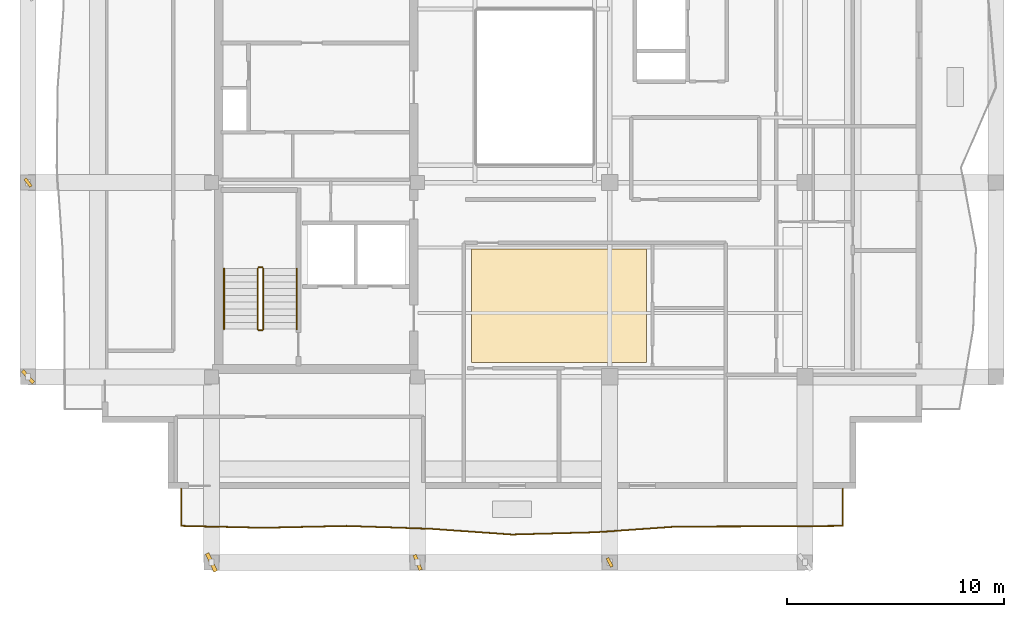
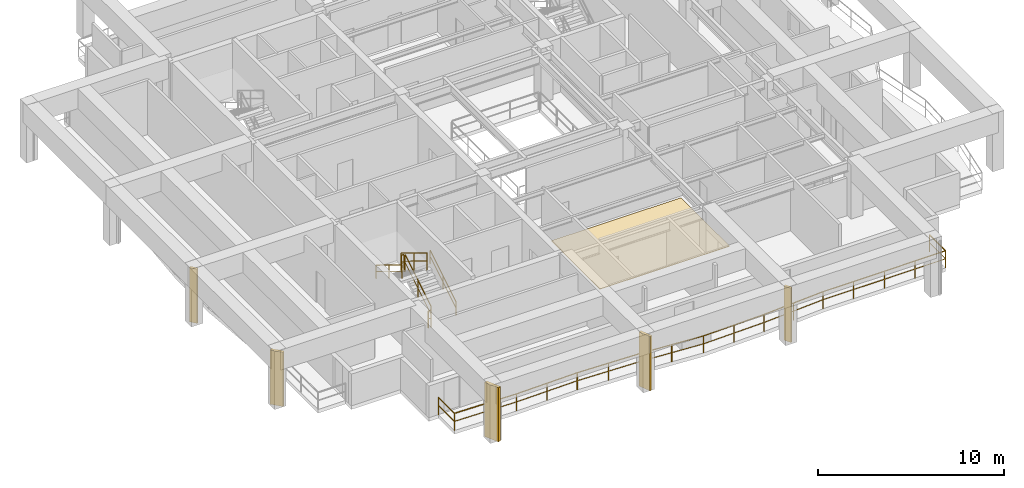
# One storey, part 7 of 10: 7 railings, 5 shading devices, 1 covering.
"""IFC4 building model written with IfcOpenShell, lengths in metres."""

import ifcopenshell
import ifcopenshell.guid

model = None  # the IFC model being written
_history = None  # IfcOwnerHistory: only IFC2X3 demands one
_inside = {}  # id of a spatial element -> (the spatial element, [elements in it])
_under = {}  # id of a project, library or spatial element -> (it, [spatial elements below it])
_declared = {}  # id of a project -> (the project, [libraries it declares])
_typed = {}  # id of a type object -> (the type object, [elements of that type])
_made_of = {}  # id of a material, layer set ... -> (it, [elements and type objects made of it])


def new_model(schema):
    """Start an empty IFC model of exactly this schema.

    Asked for "IFC4X3", IfcOpenShell would pick the latest addendum, in which some entities
    have other attributes; the version numbers below select the first issue.
    IFC2X3 requires an IfcOwnerHistory on every rooted entity: one is made here for all.
    """
    global model, _history
    if schema == "IFC4X3":
        model = ifcopenshell.file(schema_version=(4, 3, 0, 0))
    else:
        model = ifcopenshell.file(schema=schema)
    _inside.clear()
    _under.clear()
    _declared.clear()
    _typed.clear()
    _made_of.clear()
    _history = None
    if model.schema == "IFC2X3":
        org = make("IfcOrganization", Name="unknown")
        user = make(
            "IfcPersonAndOrganization",
            ThePerson=make("IfcPerson", FamilyName="unknown"),
            TheOrganization=org,
        )
        app = make(
            "IfcApplication",
            ApplicationDeveloper=org,
            Version="unknown",
            ApplicationFullName="unknown",
            ApplicationIdentifier="unknown",
        )
        _history = make(
            "IfcOwnerHistory",
            OwningUser=user,
            OwningApplication=app,
            ChangeAction="ADDED",
            CreationDate=0,
        )
    return model


def make(cls, **values):
    """One entity of the class cls with the attributes given. An attribute that is None is left unset."""
    return model.create_entity(
        cls, **{name: value for name, value in values.items() if value is not None}
    )


def rooted(cls, **values):
    """An entity with a GlobalId (a new one), such as an element, a storey or a relation."""
    return make(cls, GlobalId=ifcopenshell.guid.new(), OwnerHistory=_history, **values)


def si_unit(unit_type, name, prefix=None):
    """IfcSIUnit, for example si_unit("LENGTHUNIT", "METRE", prefix="MILLI")."""
    return make("IfcSIUnit", UnitType=unit_type, Prefix=prefix, Name=name)


def assignment(units):
    """IfcUnitAssignment: the units of a project."""
    return None if units is None else make("IfcUnitAssignment", Units=units)


def point(xyz):
    """IfcCartesianPoint."""
    return None if xyz is None else make("IfcCartesianPoint", Coordinates=xyz)


def direction(xyz):
    """IfcDirection."""
    return None if xyz is None else make("IfcDirection", DirectionRatios=xyz)


def frame(location, z_axis=None, x_axis=None):
    """IfcAxis2Placement3D, a coordinate frame: its origin and axes. An axis left out is left unset."""
    return make(
        "IfcAxis2Placement3D",
        Location=point(location),
        Axis=direction(z_axis),
        RefDirection=direction(x_axis),
    )


def frame_2d(location, x_axis=None):
    """IfcAxis2Placement2D, a coordinate frame in the plane: its origin and x axis."""
    return make(
        "IfcAxis2Placement2D", Location=point(location), RefDirection=direction(x_axis)
    )


def origin():
    """The frame at (0, 0, 0) with its axes left unset."""
    return frame((0.0, 0.0, 0.0))


def origin_2d():
    """The frame at (0, 0) in the plane with its x axis left unset."""
    return frame_2d((0.0, 0.0))


def place(relative_to, where):
    """IfcLocalPlacement: puts the frame where relative to a parent placement (None: the world)."""
    return make(
        "IfcLocalPlacement", PlacementRelTo=relative_to, RelativePlacement=where
    )


def context(
    kind, dimensions, precision=None, world=None, true_north=None, identifier=None
):
    """IfcGeometricRepresentationContext, for example the 3D "Model" context."""
    return make(
        "IfcGeometricRepresentationContext",
        ContextIdentifier=identifier,
        ContextType=kind,
        CoordinateSpaceDimension=dimensions,
        Precision=precision,
        WorldCoordinateSystem=world,
        TrueNorth=true_north,
    )


def subcontext(parent, identifier, kind, view, scale=None):
    """IfcGeometricRepresentationSubContext, for example "Body" below "Model"."""
    return make(
        "IfcGeometricRepresentationSubContext",
        ContextIdentifier=identifier,
        ContextType=kind,
        ParentContext=parent,
        TargetScale=scale,
        TargetView=view,
    )


def project(units=None, contexts=None):
    """IfcProject with its units and contexts."""
    return rooted(
        "IfcProject",
        Name="project",
        RepresentationContexts=contexts,
        UnitsInContext=assignment(units),
    )


def spatial(cls, under=None, at=None, **own):
    """A site, building, storey or space (cls), placed at a placement, below another one or the project."""
    s = rooted(cls, ObjectPlacement=at, **own)
    if under is not None:
        _under.setdefault(under.id(), (under, []))[1].append(s)
    return s


def polyline(points):
    """IfcPolyline through the points."""
    return make("IfcPolyline", Points=[point(p) for p in points])


def profile(cls, at=None, kind="AREA", **sizes):
    """A parametric profile (cls). Its sizes go by their IFC names, for example OverallWidth=200.0."""
    return make(cls, ProfileType=kind, Position=at, **sizes)


def rectangle(**sizes):
    """IfcRectangleProfileDef."""
    return profile("IfcRectangleProfileDef", **sizes)


def outline(outer, holes=None, kind="AREA"):
    """IfcArbitraryClosedProfileDef: a profile drawn as a closed curve; with holes, ...WithVoids."""
    if holes is None:
        return make("IfcArbitraryClosedProfileDef", ProfileType=kind, OuterCurve=outer)
    return make(
        "IfcArbitraryProfileDefWithVoids",
        ProfileType=kind,
        OuterCurve=outer,
        InnerCurves=holes,
    )


def extrude(swept, where, along, depth):
    """IfcExtrudedAreaSolid: the profile swept, set in the frame where, extruded along a direction by depth."""
    return make(
        "IfcExtrudedAreaSolid",
        SweptArea=swept,
        Position=where,
        ExtrudedDirection=direction(along),
        Depth=depth,
    )


def shape(context_of_items, identifier, shape_type, items):
    """IfcShapeRepresentation: the items that make up one representation, for example the "Body"."""
    return make(
        "IfcShapeRepresentation",
        ContextOfItems=context_of_items,
        RepresentationIdentifier=identifier,
        RepresentationType=shape_type,
        Items=items,
    )


def material(Name=None, Category=None):
    """IfcMaterial."""
    return make("IfcMaterial", Name=Name, Category=Category)


def layer(
    of_material, thickness, ventilated=None, Name=None, Category=None, Priority=None
):
    """IfcMaterialLayer: one layer of a wall or slab, of a material (None: an air gap)."""
    return make(
        "IfcMaterialLayer",
        Material=of_material,
        LayerThickness=thickness,
        IsVentilated=ventilated,
        Name=Name,
        Category=Category,
        Priority=Priority,
    )


def layer_set(layers, Name=None):
    """IfcMaterialLayerSet."""
    return make("IfcMaterialLayerSet", MaterialLayers=layers, LayerSetName=Name)


def made_of(thing, what):
    """Note that an element or type object is made of a material, layer set ...; save() writes the relation."""
    if what is not None:
        _made_of.setdefault(what.id(), (what, []))[1].append(thing)
    return thing


def type_object(cls, material=None, **own):
    """A type object (cls), such as IfcWallType, which elements share."""
    return made_of(rooted(cls, **own), material)


def element(
    cls,
    number,
    at=None,
    inside=None,
    cuts=None,
    type_object=None,
    material=None,
    context=None,
    identifier="Body",
    shape_type=None,
    held_by="IfcProductDefinitionShape",
    body=None,
    shapes=None,
    **own,
):
    """One element of the class cls, such as IfcWall. Its Tag is "e" and its number.

    at: its placement. inside: the storey or other place that contains it. cuts: it is an
    opening in that element (IfcRelVoidsElement). A single representation is given by context,
    identifier, shape_type and body (its items); several are given by shapes. held_by: the class
    of the entity that holds the representations. save() writes the other relations.
    """
    e = rooted(cls, Tag="e%d" % number, ObjectPlacement=at, **own)
    if body is not None:
        shapes = [shape(context, identifier, shape_type, body)]
    if shapes is not None:
        e.Representation = make(held_by, Representations=shapes)
    if inside is not None:
        _inside.setdefault(inside.id(), (inside, []))[1].append(e)
    if cuts is not None:
        rooted(
            "IfcRelVoidsElement", RelatingBuildingElement=cuts, RelatedOpeningElement=e
        )
    if type_object is not None:
        _typed.setdefault(type_object.id(), (type_object, []))[1].append(e)
    return made_of(e, material)


def aggregate(whole, parts):
    """IfcRelAggregates: a whole, such as a stair, and the parts it consists of."""
    return rooted("IfcRelAggregates", RelatingObject=whole, RelatedObjects=parts)


def save(model, path):
    """Write the relations noted so far, then the file.

    IfcRelAggregates (storeys below a building ...), IfcRelContainedInSpatialStructure (elements
    in a storey), IfcRelDefinesByType, IfcRelAssociatesMaterial and IfcRelDeclares: one each for
    every whole, place, type object, material and project.
    """
    for whole, parts in _under.values():
        aggregate(whole, parts)
    for where, things in _inside.values():
        rooted(
            "IfcRelContainedInSpatialStructure",
            RelatedElements=things,
            RelatingStructure=where,
        )
    for kind, things in _typed.values():
        rooted("IfcRelDefinesByType", RelatedObjects=things, RelatingType=kind)
    for what, things in _made_of.values():
        rooted("IfcRelAssociatesMaterial", RelatedObjects=things, RelatingMaterial=what)
    for by, libraries in _declared.values():
        rooted("IfcRelDeclares", RelatingContext=by, RelatedDefinitions=libraries)
    model.write(path)


model = new_model("IFC4")

# Units and contexts
model_context = context("Model", 3, precision=1e-05, world=origin(), true_north=direction((0.0, 1.0)))
body_context = subcontext(model_context, "Body", "Model", "MODEL_VIEW")
ifc_project = project(units=[si_unit("LENGTHUNIT", "METRE"), si_unit("AREAUNIT", "SQUARE_METRE"), si_unit("VOLUMEUNIT", "CUBIC_METRE"), si_unit("PLANEANGLEUNIT", "RADIAN"), si_unit("MASSUNIT", "GRAM", prefix="KILO")], contexts=[model_context])

# Site, building, storey
site_placement = place(None, origin())
site = spatial("IfcSite", under=ifc_project, at=site_placement, CompositionType="ELEMENT")
building_placement = place(site_placement, origin())
building = spatial("IfcBuilding", under=site, at=building_placement, Name="Kundavana Baori Tower", CompositionType="ELEMENT")
storey_placement = place(building_placement, frame((0.0, 0.0, 323.89990234375)))
storey = spatial("IfcBuildingStorey", under=building, at=storey_placement, Name="L80", CompositionType="ELEMENT", Elevation=323.89990234375)

# Covering
ifc_material_1 = material(Name="Honed Kota Stone and Terrazzo Flooring", Category="masonry")
ifc_layer = layer(ifc_material_1, 0.0400390625, Name="COV-FLR-TERR-40")
ifc_layer_set = layer_set([ifc_layer], Name="Honed Kota Stone and Terrazzo Flooring")
covering_type = type_object("IfcCoveringType", Name="COV-FLR-TERR-40", PredefinedType="FLOORING", material=ifc_layer_set)
covering_placement = place(storey_placement, origin())
element("IfcCovering", 1, at=covering_placement, inside=storey, type_object=covering_type, Name="L80 Room Finished Stone Flooring 1", PredefinedType="FLOORING", context=body_context, shape_type="SweptSolid", body=[
    extrude(outline(polyline([(27.43994140625, 15.919921875), (35.489990234375, 15.919921875), (35.489990234375, 21.139892578125), (27.43994140625, 21.139892578125), (27.43994140625, 15.919921875)])), origin(), (0.0, 0.0, 1.0), 0.0400390625),
])

# Railings
ifc_material_2 = material(Name="Architectural Patinated Bronze Metalwork")
railing_type_1 = type_object("IfcRailingType", Name="RL-BAL-1150", PredefinedType="BALUSTRADE", material=ifc_material_2)
railing_1_placement = place(storey_placement, frame((44.550048828125, 10.10009765625, 0.0)))
element("IfcRailing", 2, at=railing_1_placement, inside=storey, type_object=railing_type_1, Name="L80 Loggia Balcony Balustrade S", PredefinedType="BALUSTRADE", context=body_context, shape_type="SweptSolid", body=[
    extrude(rectangle(XDim=0.048095703125, YDim=0.048095703125, at=origin_2d()), frame((0.0, 0.0, 1.1259765625), z_axis=(0.0, -1.0, 0.0), x_axis=(1.0, 0.0, 0.0)), (0.0, 0.0, 1.0), 1.72021484375),
    extrude(rectangle(XDim=0.03125, YDim=0.03125, at=origin_2d()), frame((0.0, 0.0, 0.597900390625), z_axis=(0.0, -1.0, 0.0), x_axis=(1.0, 0.0, 0.0)), (0.0, 0.0, 1.0), 1.72021484375),
    extrude(rectangle(XDim=0.048095703125, YDim=0.048095703125, at=origin_2d()), frame((0.0, -1.72021484375, 1.1259765625), z_axis=(-0.999980313954, -0.006274687589, 0.0), x_axis=(0.006274687589, -0.999980313954, 0.0)), (0.0, 0.0, 1.0), 3.81298828125),
    extrude(rectangle(XDim=0.03125, YDim=0.03125, at=origin_2d()), frame((0.0, -1.72021484375, 0.597900390625), z_axis=(-0.999980313954, -0.006274687589, 0.0), x_axis=(0.006274687589, -0.999980313954, 0.0)), (0.0, 0.0, 1.0), 3.81298828125),
    extrude(rectangle(XDim=0.048095703125, YDim=0.048095703125, at=origin_2d()), frame((-3.81298828125, -1.744140625, 1.1259765625), z_axis=(-0.999998392109, -0.001793259573, 0.0), x_axis=(0.001793259573, -0.999998392109, 0.0)), (0.0, 0.0, 1.0), 3.81201171875),
    extrude(rectangle(XDim=0.03125, YDim=0.03125, at=origin_2d()), frame((-3.81298828125, -1.744140625, 0.597900390625), z_axis=(-0.999998392109, -0.001793259573, 0.0), x_axis=(0.001793259573, -0.999998392109, 0.0)), (0.0, 0.0, 1.0), 3.81201171875),
    extrude(rectangle(XDim=0.048095703125, YDim=0.048095703125, at=origin_2d()), frame((-7.625, -1.7509765625, 1.1259765625), z_axis=(-0.997591163117, -0.06936765291, 0.0), x_axis=(0.06936765291, -0.997591163117, 0.0)), (0.0, 0.0, 1.0), 3.822265625),
    extrude(rectangle(XDim=0.03125, YDim=0.03125, at=origin_2d()), frame((-7.625, -1.7509765625, 0.597900390625), z_axis=(-0.997591163117, -0.06936765291, 0.0), x_axis=(0.06936765291, -0.997591163117, 0.0)), (0.0, 0.0, 1.0), 3.822265625),
    extrude(rectangle(XDim=0.048095703125, YDim=0.048095703125, at=origin_2d()), frame((-11.43798828125, -2.01611328125, 1.1259765625), z_axis=(-0.999628020953, -0.027273058597, 0.0), x_axis=(0.027273058597, -0.999628020953, 0.0)), (0.0, 0.0, 1.0), 3.8134765625),
    extrude(rectangle(XDim=0.03125, YDim=0.03125, at=origin_2d()), frame((-11.43798828125, -2.01611328125, 0.597900390625), z_axis=(-0.999628020953, -0.027273058597, 0.0), x_axis=(0.027273058597, -0.999628020953, 0.0)), (0.0, 0.0, 1.0), 3.8134765625),
    extrude(rectangle(XDim=0.048095703125, YDim=0.048095703125, at=origin_2d()), frame((-15.25, -2.1201171875, 1.1259765625), z_axis=(-0.997519927412, 0.070384617749, 0.0), x_axis=(-0.070384617749, -0.997519927412, 0.0)), (0.0, 0.0, 1.0), 3.822509765625),
    extrude(rectangle(XDim=0.03125, YDim=0.03125, at=origin_2d()), frame((-15.25, -2.1201171875, 0.597900390625), z_axis=(-0.997519927412, 0.070384617749, 0.0), x_axis=(-0.070384617749, -0.997519927412, 0.0)), (0.0, 0.0, 1.0), 3.822509765625),
    extrude(rectangle(XDim=0.048095703125, YDim=0.048095703125, at=origin_2d()), frame((-19.06298828125, -1.85107421875, 1.1259765625), z_axis=(-0.999445901134, 0.033284992224, 0.0), x_axis=(-0.033284992224, -0.999445901134, 0.0)), (0.0, 0.0, 1.0), 3.814208984375),
    extrude(rectangle(XDim=0.03125, YDim=0.03125, at=origin_2d()), frame((-19.06298828125, -1.85107421875, 0.597900390625), z_axis=(-0.999445901134, 0.033284992224, 0.0), x_axis=(-0.033284992224, -0.999445901134, 0.0)), (0.0, 0.0, 1.0), 3.814208984375),
    extrude(rectangle(XDim=0.048095703125, YDim=0.048095703125, at=origin_2d()), frame((-22.875, -1.72412109375, 1.1259765625), z_axis=(-0.999751721919, -0.022282156989, 0.0), x_axis=(0.022282156989, -0.999751721919, 0.0)), (0.0, 0.0, 1.0), 3.81298828125),
    extrude(rectangle(XDim=0.03125, YDim=0.03125, at=origin_2d()), frame((-22.875, -1.72412109375, 0.597900390625), z_axis=(-0.999751721919, -0.022282156989, 0.0), x_axis=(0.022282156989, -0.999751721919, 0.0)), (0.0, 0.0, 1.0), 3.81298828125),
    extrude(rectangle(XDim=0.048095703125, YDim=0.048095703125, at=origin_2d()), frame((-26.68701171875, -1.80908203125, 1.1259765625), z_axis=(-0.999728515493, 0.023300113948, 0.0), x_axis=(-0.023300113948, -0.999728515493, 0.0)), (0.0, 0.0, 1.0), 3.81396484375),
    extrude(rectangle(XDim=0.03125, YDim=0.03125, at=origin_2d()), frame((-26.68701171875, -1.80908203125, 0.597900390625), z_axis=(-0.999728515493, 0.023300113948, 0.0), x_axis=(-0.023300113948, -0.999728515493, 0.0)), (0.0, 0.0, 1.0), 3.81396484375),
    extrude(rectangle(XDim=0.048095703125, YDim=0.048095703125, at=origin_2d()), frame((-30.5, -1.72021484375, 1.1259765625), z_axis=(0.0, 1.0, 0.0), x_axis=(-1.0, 0.0, 0.0)), (0.0, 0.0, 1.0), 1.72021484375),
    extrude(rectangle(XDim=0.03125, YDim=0.03125, at=origin_2d()), frame((-30.5, -1.72021484375, 0.597900390625), z_axis=(0.0, 1.0, 0.0), x_axis=(-1.0, 0.0, 0.0)), (0.0, 0.0, 1.0), 1.72021484375),
    extrude(rectangle(XDim=0.0419921875, YDim=0.0419921875, at=origin_2d()), origin(), (0.0, 0.0, 1.0), 1.101806640625),
    extrude(rectangle(XDim=0.0419921875, YDim=0.0419921875, at=origin_2d()), frame((0.0, -1.72021484375, 0.0)), (0.0, 0.0, 1.0), 1.101806640625),
    extrude(rectangle(XDim=0.0419921875, YDim=0.0419921875, at=origin_2d()), frame((-1.906494140625, -1.732177734375, 0.0)), (0.0, 0.0, 1.0), 1.101806640625),
    extrude(rectangle(XDim=0.0419921875, YDim=0.0419921875, at=origin_2d()), frame((-3.81298828125, -1.744140625, 0.0)), (0.0, 0.0, 1.0), 1.101806640625),
    extrude(rectangle(XDim=0.0419921875, YDim=0.0419921875, at=origin_2d()), frame((-5.718994140625, -1.74755859375, 0.0)), (0.0, 0.0, 1.0), 1.101806640625),
    extrude(rectangle(XDim=0.0419921875, YDim=0.0419921875, at=origin_2d()), frame((-7.625, -1.7509765625, 0.0)), (0.0, 0.0, 1.0), 1.101806640625),
    extrude(rectangle(XDim=0.0419921875, YDim=0.0419921875, at=origin_2d()), frame((-9.531494140625, -1.883544921875, 0.0)), (0.0, 0.0, 1.0), 1.101806640625),
    extrude(rectangle(XDim=0.0419921875, YDim=0.0419921875, at=origin_2d()), frame((-11.43798828125, -2.01611328125, 0.0)), (0.0, 0.0, 1.0), 1.101806640625),
    extrude(rectangle(XDim=0.0419921875, YDim=0.0419921875, at=origin_2d()), frame((-13.343994140625, -2.068115234375, 0.0)), (0.0, 0.0, 1.0), 1.101806640625),
    extrude(rectangle(XDim=0.0419921875, YDim=0.0419921875, at=origin_2d()), frame((-15.25, -2.1201171875, 0.0)), (0.0, 0.0, 1.0), 1.101806640625),
    extrude(rectangle(XDim=0.0419921875, YDim=0.0419921875, at=origin_2d()), frame((-17.156494140625, -1.985595703125, 0.0)), (0.0, 0.0, 1.0), 1.101806640625),
    extrude(rectangle(XDim=0.0419921875, YDim=0.0419921875, at=origin_2d()), frame((-19.06298828125, -1.85107421875, 0.0)), (0.0, 0.0, 1.0), 1.101806640625),
    extrude(rectangle(XDim=0.0419921875, YDim=0.0419921875, at=origin_2d()), frame((-20.968994140625, -1.78759765625, 0.0)), (0.0, 0.0, 1.0), 1.101806640625),
    extrude(rectangle(XDim=0.0419921875, YDim=0.0419921875, at=origin_2d()), frame((-22.875, -1.72412109375, 0.0)), (0.0, 0.0, 1.0), 1.101806640625),
    extrude(rectangle(XDim=0.0419921875, YDim=0.0419921875, at=origin_2d()), frame((-24.781005859375, -1.7666015625, 0.0)), (0.0, 0.0, 1.0), 1.101806640625),
    extrude(rectangle(XDim=0.0419921875, YDim=0.0419921875, at=origin_2d()), frame((-26.68701171875, -1.80908203125, 0.0)), (0.0, 0.0, 1.0), 1.101806640625),
    extrude(rectangle(XDim=0.0419921875, YDim=0.0419921875, at=origin_2d()), frame((-28.593505859375, -1.7646484375, 0.0)), (0.0, 0.0, 1.0), 1.101806640625),
    extrude(rectangle(XDim=0.0419921875, YDim=0.0419921875, at=origin_2d()), frame((-30.5, -1.72021484375, 0.0)), (0.0, 0.0, 1.0), 1.101806640625),
    extrude(rectangle(XDim=0.0419921875, YDim=0.0419921875, at=origin_2d()), frame((-30.5, 0.0, 0.0)), (0.0, 0.0, 1.0), 1.101806640625),
])
ifc_material_3 = material(Name="Architectural Patinated Bronze Metalwork")
railing_type_2 = type_object("IfcRailingType", Name="RL-GRD-1150", PredefinedType="GUARDRAIL", material=ifc_material_3)
railing_2_placement = place(storey_placement, frame((17.840087890625, 17.449951171875, 0.190185546875)))
element("IfcRailing", 3, at=railing_2_placement, inside=storey, type_object=railing_type_2, Name="L80 ST1 stair guard 1", PredefinedType="GUARDRAIL", context=body_context, shape_type="SweptSolid", body=[
    extrude(rectangle(XDim=0.048095703125, YDim=0.048095703125, at=origin_2d()), frame((0.0, 0.0, 1.1259765625), z_axis=(0.0, 0.852609830418, 0.522548061975), x_axis=(-1.0, 0.0, 0.0)), (0.0, 0.0, 1.0), 3.2724609375),
    extrude(rectangle(XDim=0.03125, YDim=0.03125, at=origin_2d()), frame((0.0, 0.0, 0.597900390625), z_axis=(0.0, 0.852609830418, 0.522548061975), x_axis=(-1.0, 0.0, 0.0)), (0.0, 0.0, 1.0), 3.2724609375),
    extrude(rectangle(XDim=0.0419921875, YDim=0.0419921875, at=origin_2d()), origin(), (0.0, 0.0, 1.0), 1.101806640625),
    extrude(rectangle(XDim=0.0419921875, YDim=0.0419921875, at=origin_2d()), frame((0.0, 1.39501953125, 0.85498046875)), (0.0, 0.0, 1.0), 1.101806640625),
    extrude(rectangle(XDim=0.0419921875, YDim=0.0419921875, at=origin_2d()), frame((0.0, 2.7900390625, 1.7099609375)), (0.0, 0.0, 1.0), 1.101806640625),
])
railing_3_placement = place(storey_placement, frame((17.7900390625, 20.2900390625, 1.900146484375)))
element("IfcRailing", 4, at=railing_3_placement, inside=storey, type_object=railing_type_2, Name="L80 ST1 stair guard 2", PredefinedType="GUARDRAIL", context=body_context, shape_type="SweptSolid", body=[
    extrude(rectangle(XDim=0.048095703125, YDim=0.048095703125, at=origin_2d()), frame((0.0, 0.0, 1.1259765625), z_axis=(-1.0, 0.0, 0.0), x_axis=(0.0, -1.0, 0.0)), (0.0, 0.0, 1.0), 0.16015625),
    extrude(rectangle(XDim=0.03125, YDim=0.03125, at=origin_2d()), frame((0.0, 0.0, 0.597900390625), z_axis=(-1.0, 0.0, 0.0), x_axis=(0.0, -1.0, 0.0)), (0.0, 0.0, 1.0), 0.16015625),
    extrude(rectangle(XDim=0.0419921875, YDim=0.0419921875, at=origin_2d()), origin(), (0.0, 0.0, 1.0), 1.101806640625),
    extrude(rectangle(XDim=0.0419921875, YDim=0.0419921875, at=origin_2d()), frame((-0.16015625, 0.0, 0.0)), (0.0, 0.0, 1.0), 1.101806640625),
])
railing_4_placement = place(storey_placement, frame((17.580078125, 20.239990234375, 2.090087890625)))
element("IfcRailing", 5, at=railing_4_placement, inside=storey, type_object=railing_type_2, Name="L80 ST1 stair guard 3", PredefinedType="GUARDRAIL", context=body_context, shape_type="SweptSolid", body=[
    extrude(rectangle(XDim=0.048095703125, YDim=0.048095703125, at=origin_2d()), frame((0.0, 0.0, 1.1259765625), z_axis=(0.0, -0.852609830418, 0.522548061975), x_axis=(1.0, 0.0, 0.0)), (0.0, 0.0, 1.0), 3.2724609375),
    extrude(rectangle(XDim=0.03125, YDim=0.03125, at=origin_2d()), frame((0.0, 0.0, 0.597900390625), z_axis=(0.0, -0.852609830418, 0.522548061975), x_axis=(1.0, 0.0, 0.0)), (0.0, 0.0, 1.0), 3.2724609375),
    extrude(rectangle(XDim=0.0419921875, YDim=0.0419921875, at=origin_2d()), origin(), (0.0, 0.0, 1.0), 1.101806640625),
    extrude(rectangle(XDim=0.0419921875, YDim=0.0419921875, at=origin_2d()), frame((0.0, -1.39501953125, 0.85498046875)), (0.0, 0.0, 1.0), 1.101806640625),
    extrude(rectangle(XDim=0.0419921875, YDim=0.0419921875, at=origin_2d()), frame((0.0, -2.7900390625, 1.7099609375)), (0.0, 0.0, 1.0), 1.101806640625),
])
railing_5_placement = place(storey_placement, frame((17.7900390625, 17.39990234375, 0.0)))
element("IfcRailing", 6, at=railing_5_placement, inside=storey, type_object=railing_type_2, Name="L80 ST1 stair guard 4", PredefinedType="GUARDRAIL", context=body_context, shape_type="SweptSolid", body=[
    extrude(rectangle(XDim=0.048095703125, YDim=0.048095703125, at=origin_2d()), frame((0.0, 0.0, 1.1259765625), z_axis=(-1.0, 0.0, 0.0), x_axis=(0.0, -1.0, 0.0)), (0.0, 0.0, 1.0), 0.16015625),
    extrude(rectangle(XDim=0.03125, YDim=0.03125, at=origin_2d()), frame((0.0, 0.0, 0.597900390625), z_axis=(-1.0, 0.0, 0.0), x_axis=(0.0, -1.0, 0.0)), (0.0, 0.0, 1.0), 0.16015625),
    extrude(rectangle(XDim=0.0419921875, YDim=0.0419921875, at=origin_2d()), origin(), (0.0, 0.0, 1.0), 1.101806640625),
    extrude(rectangle(XDim=0.0419921875, YDim=0.0419921875, at=origin_2d()), frame((-0.16015625, 0.0, 0.0)), (0.0, 0.0, 1.0), 1.101806640625),
])
ifc_material_4 = material(Name="Architectural Patinated Bronze Metalwork")
railing_type_3 = type_object("IfcRailingType", Name="RL-HND-920", PredefinedType="HANDRAIL", material=ifc_material_4)
railing_6_placement = place(storey_placement, frame((19.389892578125, 17.449951171875, 0.190185546875)))
element("IfcRailing", 7, at=railing_6_placement, inside=storey, type_object=railing_type_3, Name="L80 ST1 stair handrail 1", PredefinedType="HANDRAIL", context=body_context, shape_type="SweptSolid", body=[
    extrude(rectangle(XDim=0.048095703125, YDim=0.048095703125, at=origin_2d()), frame((0.0, 0.0, 0.8759765625), z_axis=(0.0, 0.852609830418, 0.522548061975), x_axis=(-1.0, 0.0, 0.0)), (0.0, 0.0, 1.0), 3.2724609375),
    extrude(rectangle(XDim=0.03125, YDim=0.03125, at=origin_2d()), frame((0.0, 0.0, 0.468017578125), z_axis=(0.0, 0.852609830418, 0.522548061975), x_axis=(-1.0, 0.0, 0.0)), (0.0, 0.0, 1.0), 3.2724609375),
    extrude(rectangle(XDim=0.0419921875, YDim=0.0419921875, at=origin_2d()), origin(), (0.0, 0.0, 1.0), 0.851806640625),
    extrude(rectangle(XDim=0.0419921875, YDim=0.0419921875, at=origin_2d()), frame((0.0, 1.39501953125, 0.85498046875)), (0.0, 0.0, 1.0), 0.851806640625),
    extrude(rectangle(XDim=0.0419921875, YDim=0.0419921875, at=origin_2d()), frame((0.0, 2.7900390625, 1.7099609375)), (0.0, 0.0, 1.0), 0.851806640625),
])
railing_7_placement = place(storey_placement, frame((16.030029296875, 20.239990234375, 2.090087890625)))
element("IfcRailing", 8, at=railing_7_placement, inside=storey, type_object=railing_type_3, Name="L80 ST1 stair handrail 2", PredefinedType="HANDRAIL", context=body_context, shape_type="SweptSolid", body=[
    extrude(rectangle(XDim=0.048095703125, YDim=0.048095703125, at=origin_2d()), frame((0.0, 0.0, 0.8759765625), z_axis=(0.0, -0.852609830418, 0.522548061975), x_axis=(1.0, 0.0, 0.0)), (0.0, 0.0, 1.0), 3.2724609375),
    extrude(rectangle(XDim=0.03125, YDim=0.03125, at=origin_2d()), frame((0.0, 0.0, 0.468017578125), z_axis=(0.0, -0.852609830418, 0.522548061975), x_axis=(1.0, 0.0, 0.0)), (0.0, 0.0, 1.0), 3.2724609375),
    extrude(rectangle(XDim=0.0419921875, YDim=0.0419921875, at=origin_2d()), origin(), (0.0, 0.0, 1.0), 0.851806640625),
    extrude(rectangle(XDim=0.0419921875, YDim=0.0419921875, at=origin_2d()), frame((0.0, -1.39501953125, 0.85498046875)), (0.0, 0.0, 1.0), 0.851806640625),
    extrude(rectangle(XDim=0.0419921875, YDim=0.0419921875, at=origin_2d()), frame((0.0, -2.7900390625, 1.7099609375)), (0.0, 0.0, 1.0), 0.851806640625),
])

# Shading devices
ifc_material_5 = material(Name="Red-Buff Dholpur Sandstone Cladding on Concrete C40/50", Category="masonry")
shading_device_type_1 = type_object("IfcShadingDeviceType", Name="SHD-FIN-750", PredefinedType="JALOUSIE", material=ifc_material_5)
for number, where, z_axis, x_axis, name in (
    (9, (24.949951171875, 6.699951171875, 0.0), (0.0, 0.0, 1.0), (0.926397247385, 0.376547659716, 0.0), "L80 Sweeping Dholpur Sandstone Facade Fin 2"),
    (10, (7.0, 15.25, 0.0), (0.0, 0.0, 1.0), (0.743144825477, 0.669130606359, 0.0), "L80 Sweeping Dholpur Sandstone Facade Fin 5"),
):
    element("IfcShadingDevice", number, at=place(storey_placement, frame(where, z_axis=z_axis, x_axis=x_axis)), inside=storey, type_object=shading_device_type_1, Name=name, PredefinedType="JALOUSIE", context=body_context, shape_type="SweptSolid", body=[
        extrude(rectangle(XDim=0.159912109375, YDim=0.75, at=origin_2d()), origin(), (0.0, 0.0, 1.0), 3.56005859375),
    ])
ifc_material_6 = material(Name="Red-Buff Dholpur Sandstone Cladding on Concrete C40/50", Category="masonry")
shading_device_type_2 = type_object("IfcShadingDeviceType", Name="SHD-FIN-920", PredefinedType="JALOUSIE", material=ifc_material_6)
shading_device_placement = place(storey_placement, frame((15.449951171875, 6.699951171875, 0.0), z_axis=(0.0, 0.0, 1.0), x_axis=(0.903634525916, 0.428304381921, 0.0)))
element("IfcShadingDevice", 11, at=shading_device_placement, inside=storey, type_object=shading_device_type_2, Name="L80 Sweeping Dholpur Sandstone Facade Fin 1", PredefinedType="JALOUSIE", context=body_context, shape_type="SweptSolid", body=[
    extrude(rectangle(XDim=0.179931640625, YDim=0.919921875, at=origin_2d()), origin(), (0.0, 0.0, 1.0), 3.56005859375),
])
ifc_material_7 = material(Name="Architectural Patinated Bronze Metalwork")
shading_device_type_3 = type_object("IfcShadingDeviceType", Name="SHD-LOUV-450", PredefinedType="SHUTTER", material=ifc_material_7)
for number, where, z_axis, x_axis, name in (
    (12, (33.800048828125, 6.699951171875, 0.0), (0.0, 0.0, 1.0), (0.883275130644, 0.468855034724, 0.0), "L80 Sweeping Dholpur Sandstone Facade Fin 3"),
    (13, (7.0, 24.199951171875, 0.0), (0.0, 0.0, 1.0), (0.795579233667, 0.605849554723, 0.0), "L80 Sweeping Dholpur Sandstone Facade Fin 6"),
):
    element("IfcShadingDevice", number, at=place(storey_placement, frame(where, z_axis=z_axis, x_axis=x_axis)), inside=storey, type_object=shading_device_type_3, Name=name, PredefinedType="SHUTTER", context=body_context, shape_type="SweptSolid", body=[
        extrude(rectangle(XDim=0.139892578125, YDim=0.449951171875, at=origin_2d()), origin(), (0.0, 0.0, 1.0), 3.56005859375),
    ])

save(model, "model.ifc")
